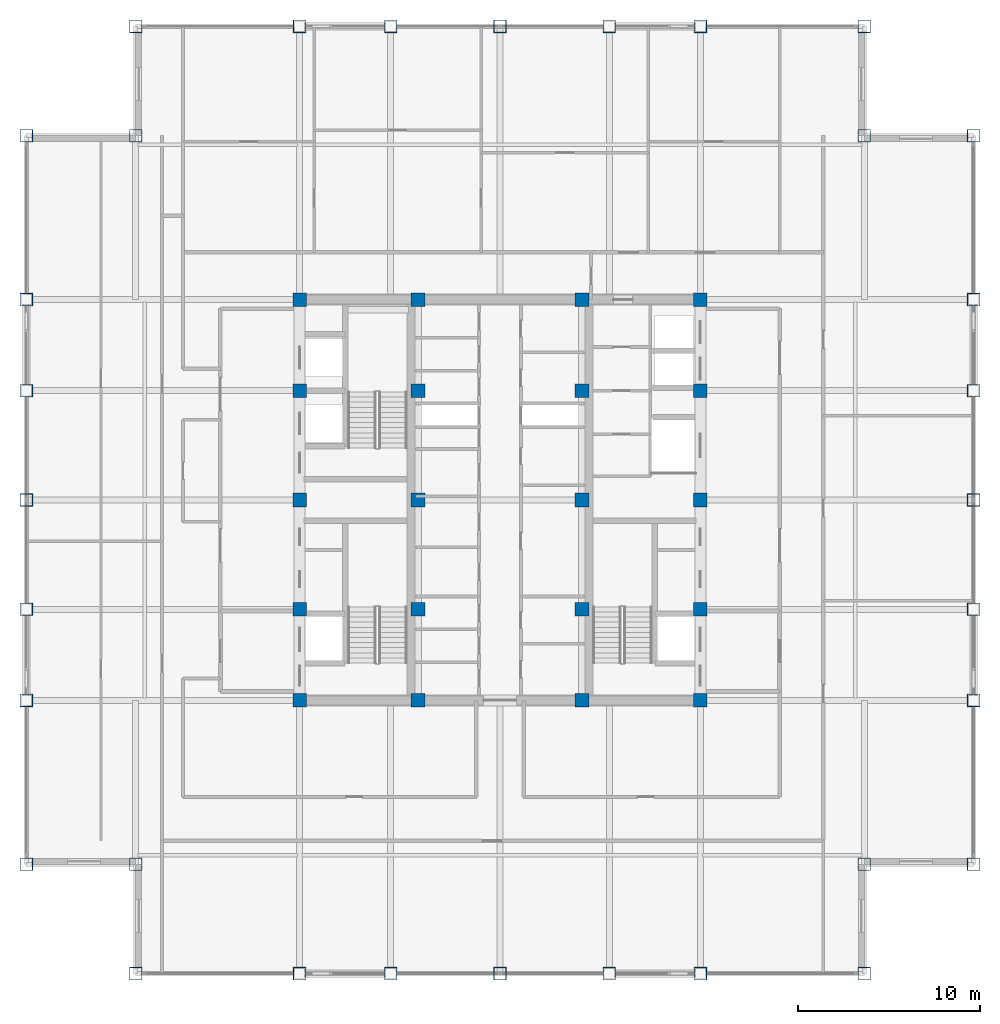
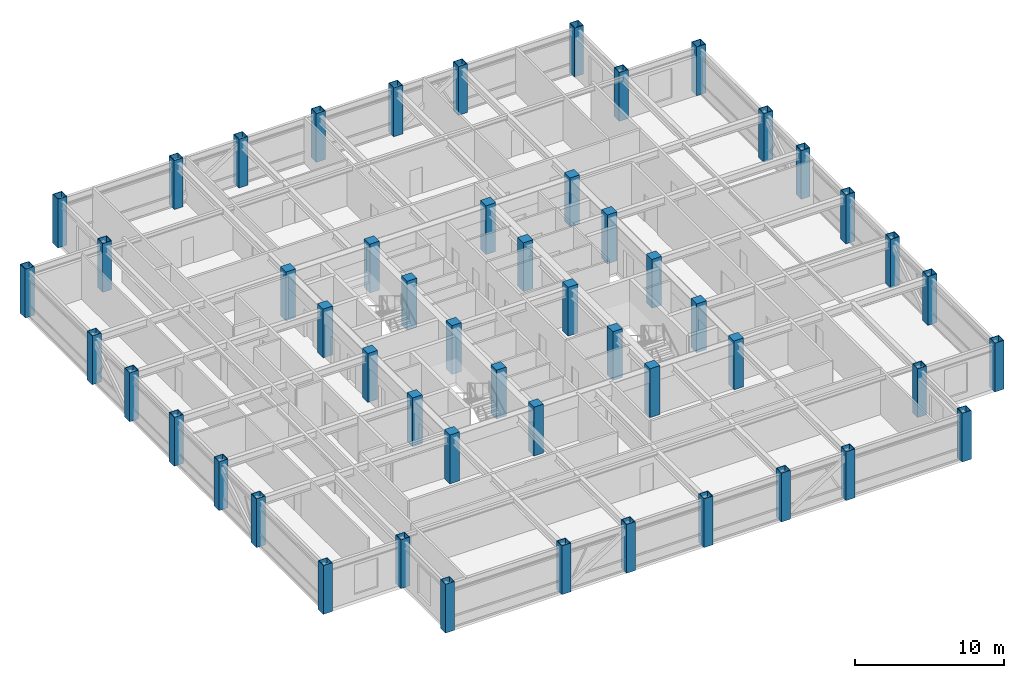
# One storey, part 1 of 29: 52 columns.
"""IFC4 building model written with IfcOpenShell, lengths in metres."""

from ifc_helpers import new_model, si_unit, direction, frame, origin, origin_2d, place, context, subcontext, project, spatial, rectangle, hollow_rectangle, extrude, source, transform, mapped, material, material_profile, profile_set, type_object, element, save


model = new_model("IFC4")

# Units and contexts
model_context = context("Model", 3, precision=1e-05, world=origin(), true_north=direction((0.0, 1.0)))
body_context = subcontext(model_context, "Body", "Model", "MODEL_VIEW")
ifc_project = project(units=[si_unit("LENGTHUNIT", "METRE"), si_unit("AREAUNIT", "SQUARE_METRE"), si_unit("VOLUMEUNIT", "CUBIC_METRE"), si_unit("PLANEANGLEUNIT", "RADIAN"), si_unit("MASSUNIT", "GRAM", prefix="KILO")], contexts=[model_context])

# Site, building, storey
site_placement = place(None, origin())
site = spatial("IfcSite", under=ifc_project, at=site_placement, CompositionType="ELEMENT")
building_placement = place(site_placement, origin())
building = spatial("IfcBuilding", under=site, at=building_placement, Name="Khorayat Bourse Tower", CompositionType="ELEMENT")
storey_placement = place(building_placement, frame((0.0, 0.0, 362.300048828125)))
storey = spatial("IfcBuildingStorey", under=building, at=storey_placement, Name="L86", CompositionType="ELEMENT", Elevation=362.300048828125)

# Columns
ifc_material_1 = material(Name="Concrete C52/65", Category="concrete")
ifc_material_profile_1 = material_profile(ifc_material_1, rectangle(XDim=0.75, YDim=0.75, at=origin_2d()), Name="RC 750x750")
ifc_profile_set_1 = profile_set([ifc_material_profile_1], Name="Concrete C52/65")
column_type_1 = type_object("IfcColumnType", Name="COL-CORE-750", PredefinedType="COLUMN", material=ifc_profile_set_1)
shared_shape_1 = source(origin(), body_context, "Body", "SweptSolid", [
    extrude(rectangle(XDim=0.75, YDim=0.75, at=origin_2d()), origin(), (0.0, 0.0, 1.0), 4.0),
])
for number, where, z_axis, x_axis, name in (
    (1, (-11.0, -11.0, 0.0), (0.0, 0.0, 1.0), (1.0, 0.0, 0.0), "L86 Column 013"),
    (2, (-11.0, -6.0, 0.0), (0.0, 0.0, 1.0), (1.0, 0.0, 0.0), "L86 Column 014"),
    (3, (-11.0, 0.0, 0.0), (0.0, 0.0, 1.0), (1.0, 0.0, 0.0), "L86 Column 015"),
    (4, (-11.0, 6.0, 0.0), (0.0, 0.0, 1.0), (1.0, 0.0, 0.0), "L86 Column 016"),
    (5, (-11.0, 11.0, 0.0), (0.0, 0.0, 1.0), (1.0, 0.0, 0.0), "L86 Column 017"),
    (6, (-4.5, -11.0, 0.0), (0.0, 0.0, 1.0), (1.0, 0.0, 0.0), "L86 Column 021"),
    (7, (-4.5, -6.0, 0.0), (0.0, 0.0, 1.0), (1.0, 0.0, 0.0), "L86 Column 022"),
    (8, (-4.5, 0.0, 0.0), (0.0, 0.0, 1.0), (1.0, 0.0, 0.0), "L86 Column 023"),
    (9, (-4.5, 6.0, 0.0), (0.0, 0.0, 1.0), (1.0, 0.0, 0.0), "L86 Column 024"),
    (10, (-4.5, 11.0, 0.0), (0.0, 0.0, 1.0), (1.0, 0.0, 0.0), "L86 Column 025"),
    (11, (4.5, -11.0, 0.0), (0.0, 0.0, 1.0), (1.0, 0.0, 0.0), "L86 Column 028"),
    (12, (4.5, -6.0, 0.0), (0.0, 0.0, 1.0), (1.0, 0.0, 0.0), "L86 Column 029"),
    (13, (4.5, 0.0, 0.0), (0.0, 0.0, 1.0), (1.0, 0.0, 0.0), "L86 Column 030"),
    (14, (4.5, 6.0, 0.0), (0.0, 0.0, 1.0), (1.0, 0.0, 0.0), "L86 Column 031"),
    (15, (4.5, 11.0, 0.0), (0.0, 0.0, 1.0), (1.0, 0.0, 0.0), "L86 Column 032"),
    (16, (11.0, -11.0, 0.0), (0.0, 0.0, 1.0), (1.0, 0.0, 0.0), "L86 Column 036"),
    (17, (11.0, -6.0, 0.0), (0.0, 0.0, 1.0), (1.0, 0.0, 0.0), "L86 Column 037"),
    (18, (11.0, 0.0, 0.0), (0.0, 0.0, 1.0), (1.0, 0.0, 0.0), "L86 Column 038"),
    (19, (11.0, 6.0, 0.0), (0.0, 0.0, 1.0), (1.0, 0.0, 0.0), "L86 Column 039"),
    (20, (11.0, 11.0, 0.0), (0.0, 0.0, 1.0), (1.0, 0.0, 0.0), "L86 Column 040"),
):
    element("IfcColumn", number, at=place(storey_placement, frame(where, z_axis=z_axis, x_axis=x_axis)), inside=storey, type_object=column_type_1, Name=name, PredefinedType="COLUMN", context=body_context, shape_type="MappedRepresentation", body=[
        mapped(shared_shape_1, transform((0.0, 0.0, 0.0), scale=1.0)),
    ])
ifc_material_2 = material(Name="Steel EN 10025-2 S355J2", Category="steel")
ifc_material_profile_2 = material_profile(ifc_material_2, hollow_rectangle(XDim=0.699951171875, YDim=0.699951171875, WallThickness=0.0400390625, at=origin_2d()), Name="BOX 700x700x40")
ifc_profile_set_2 = profile_set([ifc_material_profile_2], Name="Steel EN 10025-2 S355J2")
column_type_2 = type_object("IfcColumnType", Name="COL-TUBE-700", PredefinedType="COLUMN", material=ifc_profile_set_2)
shared_shape_2 = source(origin(), body_context, "Body", "SweptSolid", [
    extrude(hollow_rectangle(XDim=0.699951171875, YDim=0.699951171875, WallThickness=0.0400390625, at=origin_2d()), origin(), (0.0, 0.0, 1.0), 4.0),
])
for number, where, z_axis, x_axis, name in (
    (21, (-26.0, -20.0, 0.0), (0.0, 0.0, 1.0), (1.0, 0.0, 0.0), "L86 Column 001"),
    (22, (-26.0, -11.0, 0.0), (0.0, 0.0, 1.0), (1.0, 0.0, 0.0), "L86 Column 002"),
    (23, (-26.0, -6.0, 0.0), (0.0, 0.0, 1.0), (1.0, 0.0, 0.0), "L86 Column 003"),
    (24, (-26.0, 0.0, 0.0), (0.0, 0.0, 1.0), (1.0, 0.0, 0.0), "L86 Column 004"),
    (25, (-26.0, 6.0, 0.0), (0.0, 0.0, 1.0), (1.0, 0.0, 0.0), "L86 Column 005"),
    (26, (-26.0, 11.0, 0.0), (0.0, 0.0, 1.0), (1.0, 0.0, 0.0), "L86 Column 006"),
    (27, (-26.0, 20.0, 0.0), (0.0, 0.0, 1.0), (1.0, 0.0, 0.0), "L86 Column 007"),
    (28, (-20.0, -26.0, 0.0), (0.0, 0.0, 1.0), (1.0, 0.0, 0.0), "L86 Column 008"),
    (29, (-20.0, -20.0, 0.0), (0.0, 0.0, 1.0), (1.0, 0.0, 0.0), "L86 Column 009"),
    (30, (-20.0, 20.0, 0.0), (0.0, 0.0, 1.0), (1.0, 0.0, 0.0), "L86 Column 010"),
    (31, (-20.0, 26.0, 0.0), (0.0, 0.0, 1.0), (1.0, 0.0, 0.0), "L86 Column 011"),
    (32, (-11.0, -26.0, 0.0), (0.0, 0.0, 1.0), (1.0, 0.0, 0.0), "L86 Column 012"),
    (33, (-11.0, 26.0, 0.0), (0.0, 0.0, 1.0), (1.0, 0.0, 0.0), "L86 Column 018"),
    (34, (-6.0, -26.0, 0.0), (0.0, 0.0, 1.0), (1.0, 0.0, 0.0), "L86 Column 019"),
    (35, (-6.0, 26.0, 0.0), (0.0, 0.0, 1.0), (1.0, 0.0, 0.0), "L86 Column 020"),
    (36, (0.0, -26.0, 0.0), (0.0, 0.0, 1.0), (1.0, 0.0, 0.0), "L86 Column 026"),
    (37, (0.0, 26.0, 0.0), (0.0, 0.0, 1.0), (1.0, 0.0, 0.0), "L86 Column 027"),
    (38, (6.0, -26.0, 0.0), (0.0, 0.0, 1.0), (1.0, 0.0, 0.0), "L86 Column 033"),
    (39, (6.0, 26.0, 0.0), (0.0, 0.0, 1.0), (1.0, 0.0, 0.0), "L86 Column 034"),
    (40, (11.0, -26.0, 0.0), (0.0, 0.0, 1.0), (1.0, 0.0, 0.0), "L86 Column 035"),
    (41, (11.0, 26.0, 0.0), (0.0, 0.0, 1.0), (1.0, 0.0, 0.0), "L86 Column 041"),
    (42, (20.0, -26.0, 0.0), (0.0, 0.0, 1.0), (1.0, 0.0, 0.0), "L86 Column 042"),
    (43, (20.0, -20.0, 0.0), (0.0, 0.0, 1.0), (1.0, 0.0, 0.0), "L86 Column 043"),
    (44, (20.0, 20.0, 0.0), (0.0, 0.0, 1.0), (1.0, 0.0, 0.0), "L86 Column 044"),
    (45, (20.0, 26.0, 0.0), (0.0, 0.0, 1.0), (1.0, 0.0, 0.0), "L86 Column 045"),
    (46, (26.0, -20.0, 0.0), (0.0, 0.0, 1.0), (1.0, 0.0, 0.0), "L86 Column 046"),
    (47, (26.0, -11.0, 0.0), (0.0, 0.0, 1.0), (1.0, 0.0, 0.0), "L86 Column 047"),
    (48, (26.0, -6.0, 0.0), (0.0, 0.0, 1.0), (1.0, 0.0, 0.0), "L86 Column 048"),
    (49, (26.0, 0.0, 0.0), (0.0, 0.0, 1.0), (1.0, 0.0, 0.0), "L86 Column 049"),
    (50, (26.0, 6.0, 0.0), (0.0, 0.0, 1.0), (1.0, 0.0, 0.0), "L86 Column 050"),
    (51, (26.0, 11.0, 0.0), (0.0, 0.0, 1.0), (1.0, 0.0, 0.0), "L86 Column 051"),
    (52, (26.0, 20.0, 0.0), (0.0, 0.0, 1.0), (1.0, 0.0, 0.0), "L86 Column 052"),
):
    element("IfcColumn", number, at=place(storey_placement, frame(where, z_axis=z_axis, x_axis=x_axis)), inside=storey, type_object=column_type_2, Name=name, PredefinedType="COLUMN", context=body_context, shape_type="MappedRepresentation", body=[
        mapped(shared_shape_2, transform((0.0, 0.0, 0.0), scale=1.0)),
    ])

save(model, "model.ifc")
